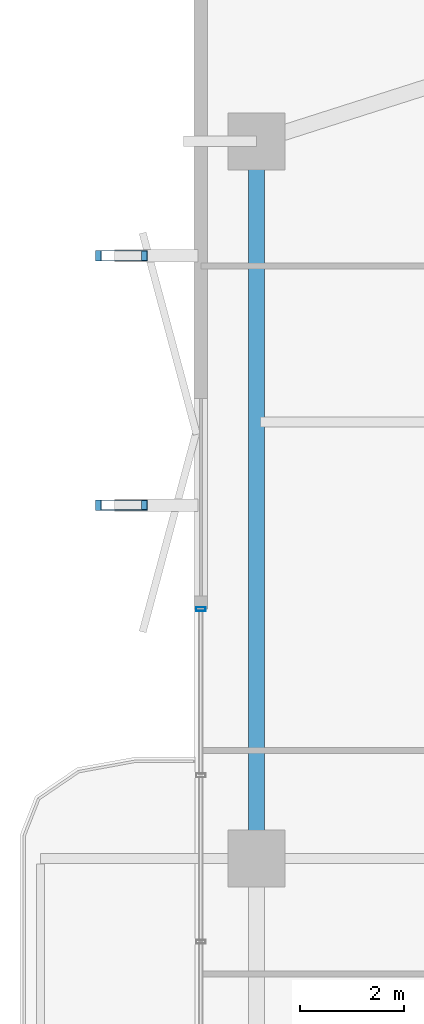
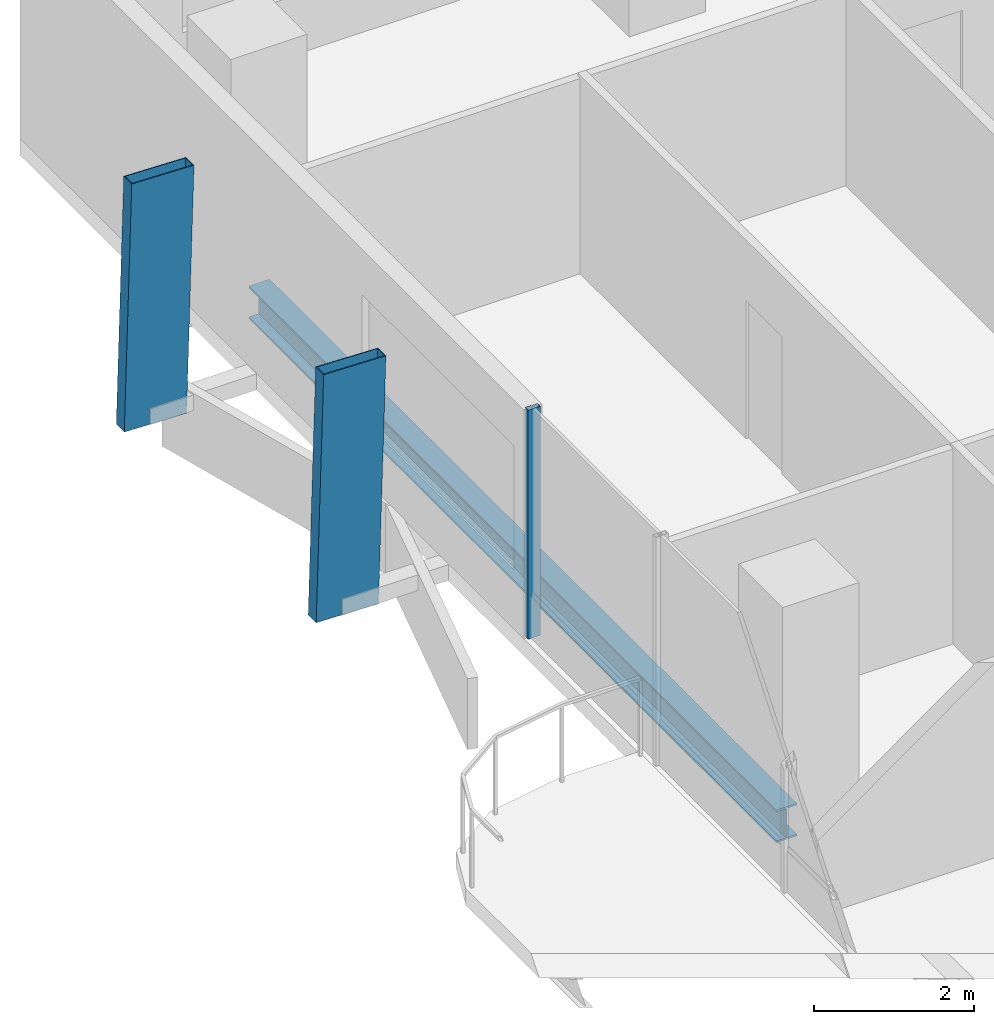
# One storey, part 11 of 25: 3 members, 1 beam, 1 element without a shape of its own.
"""IFC4 building model written with IfcOpenShell, lengths in metres."""

import ifcopenshell
import ifcopenshell.guid

model = None  # the IFC model being written
_history = None  # IfcOwnerHistory: only IFC2X3 demands one
_inside = {}  # id of a spatial element -> (the spatial element, [elements in it])
_under = {}  # id of a project, library or spatial element -> (it, [spatial elements below it])
_declared = {}  # id of a project -> (the project, [libraries it declares])
_typed = {}  # id of a type object -> (the type object, [elements of that type])
_made_of = {}  # id of a material, layer set ... -> (it, [elements and type objects made of it])


def new_model(schema):
    """Start an empty IFC model of exactly this schema.

    Asked for "IFC4X3", IfcOpenShell would pick the latest addendum, in which some entities
    have other attributes; the version numbers below select the first issue.
    IFC2X3 requires an IfcOwnerHistory on every rooted entity: one is made here for all.
    """
    global model, _history
    if schema == "IFC4X3":
        model = ifcopenshell.file(schema_version=(4, 3, 0, 0))
    else:
        model = ifcopenshell.file(schema=schema)
    _inside.clear()
    _under.clear()
    _declared.clear()
    _typed.clear()
    _made_of.clear()
    _history = None
    if model.schema == "IFC2X3":
        org = make("IfcOrganization", Name="unknown")
        user = make(
            "IfcPersonAndOrganization",
            ThePerson=make("IfcPerson", FamilyName="unknown"),
            TheOrganization=org,
        )
        app = make(
            "IfcApplication",
            ApplicationDeveloper=org,
            Version="unknown",
            ApplicationFullName="unknown",
            ApplicationIdentifier="unknown",
        )
        _history = make(
            "IfcOwnerHistory",
            OwningUser=user,
            OwningApplication=app,
            ChangeAction="ADDED",
            CreationDate=0,
        )
    return model


def make(cls, **values):
    """One entity of the class cls with the attributes given. An attribute that is None is left unset."""
    return model.create_entity(
        cls, **{name: value for name, value in values.items() if value is not None}
    )


def rooted(cls, **values):
    """An entity with a GlobalId (a new one), such as an element, a storey or a relation."""
    return make(cls, GlobalId=ifcopenshell.guid.new(), OwnerHistory=_history, **values)


def si_unit(unit_type, name, prefix=None):
    """IfcSIUnit, for example si_unit("LENGTHUNIT", "METRE", prefix="MILLI")."""
    return make("IfcSIUnit", UnitType=unit_type, Prefix=prefix, Name=name)


def assignment(units):
    """IfcUnitAssignment: the units of a project."""
    return None if units is None else make("IfcUnitAssignment", Units=units)


def point(xyz):
    """IfcCartesianPoint."""
    return None if xyz is None else make("IfcCartesianPoint", Coordinates=xyz)


def direction(xyz):
    """IfcDirection."""
    return None if xyz is None else make("IfcDirection", DirectionRatios=xyz)


def frame(location, z_axis=None, x_axis=None):
    """IfcAxis2Placement3D, a coordinate frame: its origin and axes. An axis left out is left unset."""
    return make(
        "IfcAxis2Placement3D",
        Location=point(location),
        Axis=direction(z_axis),
        RefDirection=direction(x_axis),
    )


def frame_2d(location, x_axis=None):
    """IfcAxis2Placement2D, a coordinate frame in the plane: its origin and x axis."""
    return make(
        "IfcAxis2Placement2D", Location=point(location), RefDirection=direction(x_axis)
    )


def origin():
    """The frame at (0, 0, 0) with its axes left unset."""
    return frame((0.0, 0.0, 0.0))


def origin_2d():
    """The frame at (0, 0) in the plane with its x axis left unset."""
    return frame_2d((0.0, 0.0))


def place(relative_to, where):
    """IfcLocalPlacement: puts the frame where relative to a parent placement (None: the world)."""
    return make(
        "IfcLocalPlacement", PlacementRelTo=relative_to, RelativePlacement=where
    )


def context(
    kind, dimensions, precision=None, world=None, true_north=None, identifier=None
):
    """IfcGeometricRepresentationContext, for example the 3D "Model" context."""
    return make(
        "IfcGeometricRepresentationContext",
        ContextIdentifier=identifier,
        ContextType=kind,
        CoordinateSpaceDimension=dimensions,
        Precision=precision,
        WorldCoordinateSystem=world,
        TrueNorth=true_north,
    )


def subcontext(parent, identifier, kind, view, scale=None):
    """IfcGeometricRepresentationSubContext, for example "Body" below "Model"."""
    return make(
        "IfcGeometricRepresentationSubContext",
        ContextIdentifier=identifier,
        ContextType=kind,
        ParentContext=parent,
        TargetScale=scale,
        TargetView=view,
    )


def project(units=None, contexts=None):
    """IfcProject with its units and contexts."""
    return rooted(
        "IfcProject",
        Name="project",
        RepresentationContexts=contexts,
        UnitsInContext=assignment(units),
    )


def spatial(cls, under=None, at=None, **own):
    """A site, building, storey or space (cls), placed at a placement, below another one or the project."""
    s = rooted(cls, ObjectPlacement=at, **own)
    if under is not None:
        _under.setdefault(under.id(), (under, []))[1].append(s)
    return s


def profile(cls, at=None, kind="AREA", **sizes):
    """A parametric profile (cls). Its sizes go by their IFC names, for example OverallWidth=200.0."""
    return make(cls, ProfileType=kind, Position=at, **sizes)


def hollow_rectangle(**sizes):
    """IfcRectangleHollowProfileDef."""
    return profile("IfcRectangleHollowProfileDef", **sizes)


def i_section(**sizes):
    """IfcIShapeProfileDef."""
    return profile("IfcIShapeProfileDef", **sizes)


def extrude(swept, where, along, depth):
    """IfcExtrudedAreaSolid: the profile swept, set in the frame where, extruded along a direction by depth."""
    return make(
        "IfcExtrudedAreaSolid",
        SweptArea=swept,
        Position=where,
        ExtrudedDirection=direction(along),
        Depth=depth,
    )


def shape(context_of_items, identifier, shape_type, items):
    """IfcShapeRepresentation: the items that make up one representation, for example the "Body"."""
    return make(
        "IfcShapeRepresentation",
        ContextOfItems=context_of_items,
        RepresentationIdentifier=identifier,
        RepresentationType=shape_type,
        Items=items,
    )


def material(Name=None, Category=None):
    """IfcMaterial."""
    return make("IfcMaterial", Name=Name, Category=Category)


def layer(
    of_material, thickness, ventilated=None, Name=None, Category=None, Priority=None
):
    """IfcMaterialLayer: one layer of a wall or slab, of a material (None: an air gap)."""
    return make(
        "IfcMaterialLayer",
        Material=of_material,
        LayerThickness=thickness,
        IsVentilated=ventilated,
        Name=Name,
        Category=Category,
        Priority=Priority,
    )


def layer_set(layers, Name=None):
    """IfcMaterialLayerSet."""
    return make("IfcMaterialLayerSet", MaterialLayers=layers, LayerSetName=Name)


def material_profile(
    of_material, cross_section, Name=None, Category=None, Priority=None
):
    """IfcMaterialProfile: a cross section and its material."""
    return make(
        "IfcMaterialProfile",
        Name=Name,
        Material=of_material,
        Profile=cross_section,
        Priority=Priority,
        Category=Category,
    )


def profile_set(profiles, Name=None, composite=None):
    """IfcMaterialProfileSet."""
    return make(
        "IfcMaterialProfileSet",
        Name=Name,
        MaterialProfiles=profiles,
        CompositeProfile=composite,
    )


def made_of(thing, what):
    """Note that an element or type object is made of a material, layer set ...; save() writes the relation."""
    if what is not None:
        _made_of.setdefault(what.id(), (what, []))[1].append(thing)
    return thing


def type_object(cls, material=None, **own):
    """A type object (cls), such as IfcWallType, which elements share."""
    return made_of(rooted(cls, **own), material)


def element(
    cls,
    number,
    at=None,
    inside=None,
    cuts=None,
    type_object=None,
    material=None,
    context=None,
    identifier="Body",
    shape_type=None,
    held_by="IfcProductDefinitionShape",
    body=None,
    shapes=None,
    **own,
):
    """One element of the class cls, such as IfcWall. Its Tag is "e" and its number.

    at: its placement. inside: the storey or other place that contains it. cuts: it is an
    opening in that element (IfcRelVoidsElement). A single representation is given by context,
    identifier, shape_type and body (its items); several are given by shapes. held_by: the class
    of the entity that holds the representations. save() writes the other relations.
    """
    e = rooted(cls, Tag="e%d" % number, ObjectPlacement=at, **own)
    if body is not None:
        shapes = [shape(context, identifier, shape_type, body)]
    if shapes is not None:
        e.Representation = make(held_by, Representations=shapes)
    if inside is not None:
        _inside.setdefault(inside.id(), (inside, []))[1].append(e)
    if cuts is not None:
        rooted(
            "IfcRelVoidsElement", RelatingBuildingElement=cuts, RelatedOpeningElement=e
        )
    if type_object is not None:
        _typed.setdefault(type_object.id(), (type_object, []))[1].append(e)
    return made_of(e, material)


def aggregate(whole, parts):
    """IfcRelAggregates: a whole, such as a stair, and the parts it consists of."""
    return rooted("IfcRelAggregates", RelatingObject=whole, RelatedObjects=parts)


def save(model, path):
    """Write the relations noted so far, then the file.

    IfcRelAggregates (storeys below a building ...), IfcRelContainedInSpatialStructure (elements
    in a storey), IfcRelDefinesByType, IfcRelAssociatesMaterial and IfcRelDeclares: one each for
    every whole, place, type object, material and project.
    """
    for whole, parts in _under.values():
        aggregate(whole, parts)
    for where, things in _inside.values():
        rooted(
            "IfcRelContainedInSpatialStructure",
            RelatedElements=things,
            RelatingStructure=where,
        )
    for kind, things in _typed.values():
        rooted("IfcRelDefinesByType", RelatedObjects=things, RelatingType=kind)
    for what, things in _made_of.values():
        rooted("IfcRelAssociatesMaterial", RelatedObjects=things, RelatingMaterial=what)
    for by, libraries in _declared.values():
        rooted("IfcRelDeclares", RelatingContext=by, RelatedDefinitions=libraries)
    model.write(path)


model = new_model("IFC4")

# Units and contexts
model_context = context("Model", 3, precision=1e-05, world=origin(), true_north=direction((0.0, 1.0)))
body_context = subcontext(model_context, "Body", "Model", "MODEL_VIEW")
ifc_project = project(units=[si_unit("LENGTHUNIT", "METRE"), si_unit("AREAUNIT", "SQUARE_METRE"), si_unit("VOLUMEUNIT", "CUBIC_METRE"), si_unit("PLANEANGLEUNIT", "RADIAN"), si_unit("MASSUNIT", "GRAM", prefix="KILO")], contexts=[model_context])

# Site, building, storey
site_placement = place(None, origin())
site = spatial("IfcSite", under=ifc_project, at=site_placement, CompositionType="ELEMENT")
building_placement = place(site_placement, origin())
building = spatial("IfcBuilding", under=site, at=building_placement, Name="Belovzor Exchange Tower", CompositionType="ELEMENT")
storey_placement = place(building_placement, frame((0.0, 0.0, 153.300048828125)))
storey = spatial("IfcBuildingStorey", under=building, at=storey_placement, Name="L37", CompositionType="ELEMENT", Elevation=153.300048828125)

# Members
ifc_material_1 = material(Name="Extruded Architectural Terracotta on Steel S355 Carrier", Category="masonry")
ifc_material_profile_1 = material_profile(ifc_material_1, hollow_rectangle(XDim=0.199951171875, YDim=0.89990234375, WallThickness=0.011962890625, at=origin_2d()))
ifc_profile_set_1 = profile_set([ifc_material_profile_1], Name="Extruded Architectural Terracotta on Steel S355 Carrier")
member_type_1 = type_object("IfcMemberType", Name="Sweeping Terracotta Baguette Fin Assembly 1250", PredefinedType="USERDEFINED", material=ifc_profile_set_1)
for number, where, z_axis, x_axis, name in (
    (1, (3.049072265625, 35.60009765625, -0.255126953125), (0.028764134908, 0.0, 0.999586226667), (0.0, 1.0, 0.0), "FIN-TC125 Terracotta Facade Fin L37 W3"),
    (2, (3.049072265625, 40.39990234375, -0.255126953125), (0.028764134908, 0.0, 0.999586226667), (0.0, 1.0, 0.0), "FIN-TC125 Terracotta Facade Fin L37 W4"),
):
    element("IfcMember", number, at=place(storey_placement, frame(where, z_axis=z_axis, x_axis=x_axis)), inside=storey, type_object=member_type_1, Name=name, ObjectType="FIN", PredefinedType="USERDEFINED", context=body_context, shape_type="SweptSolid", body=[
        extrude(hollow_rectangle(XDim=0.199951171875, YDim=0.89990234375, WallThickness=0.011962890625, at=origin_2d()), origin(), (0.0, 0.0, 1.0), 3.75146484375),
    ])

# Curtain wall, member
ifc_material_2 = material(Name="Anodised Aluminium Framing", Category="aluminium")
ifc_layer = layer(ifc_material_2, 0.179931640625)
ifc_layer_set = layer_set([ifc_layer], Name="Anodised Aluminium Framing")
curtain_wall_type = type_object("IfcCurtainWallType", Name="Recessed Loggia Low-Iron Triple-Glazed Curtain Wall", PredefinedType="NOTDEFINED", material=ifc_layer_set)
curtain_wall_placement = place(storey_placement, origin())
curtain_wall = element("IfcCurtainWall", 3, at=curtain_wall_placement, inside=storey, type_object=curtain_wall_type, Name="CW3 Recessed Loggia Low-Iron Triple-Glazed Curtain Wall L37", PredefinedType="NOTDEFINED")
ifc_material_3 = material(Name="Steel S355", Category="steel")
ifc_material_profile_2 = material_profile(ifc_material_3, hollow_rectangle(XDim=0.074951171875, YDim=0.179931640625, WallThickness=0.0048828125, at=origin_2d()))
ifc_profile_set_2 = profile_set([ifc_material_profile_2], Name="Steel S355")
member_type_2 = type_object("IfcMemberType", Name="Thermally Broken Curtain Wall Mullion 180x75", PredefinedType="MULLION", material=ifc_profile_set_2)
member_placement = place(storey_placement, frame((4.6298828125, 33.60009765625, 0.0), z_axis=(0.0, 0.0, 1.0), x_axis=(0.0, 1.0, 0.0)))
member = element("IfcMember", 4, at=member_placement, type_object=member_type_2, Name="CW-M180 Curtain Wall Mullion 4", PredefinedType="MULLION", context=body_context, shape_type="SweptSolid", body=[
    extrude(hollow_rectangle(XDim=0.074951171875, YDim=0.179931640625, WallThickness=0.0048828125, at=origin_2d()), origin(), (0.0, 0.0, 1.0), 3.494873046875),
])
aggregate(curtain_wall, [member])

# Beam
ifc_material_4 = material(Name="Steel S355", Category="steel")
ifc_material_profile_3 = material_profile(ifc_material_4, i_section(OverallWidth=0.300048828125, OverallDepth=0.5, WebThickness=0.014404296875, FlangeThickness=0.028076171875, at=origin_2d()))
ifc_profile_set_3 = profile_set([ifc_material_profile_3], Name="Steel S355")
beam_type = type_object("IfcBeamType", Name="Zone 3 Waist Primary Girder HEB 500", PredefinedType="BEAM", material=ifc_profile_set_3)
beam_placement = place(storey_placement, frame((5.699951171875, 42.297119140625, -0.505126953125), z_axis=(0.0, -1.0, 0.0), x_axis=(1.0, 0.0, 0.0)))
element("IfcBeam", 5, at=beam_placement, inside=storey, type_object=beam_type, Name="FG-Z3 Zone 3 Waist Primary Girder HEB 500", PredefinedType="BEAM", context=body_context, shape_type="SweptSolid", body=[
    extrude(i_section(OverallWidth=0.300048828125, OverallDepth=0.5, WebThickness=0.014404296875, FlangeThickness=0.028076171875, at=origin_2d()), origin(), (0.0, 0.0, 1.0), 13.195068359375),
])

save(model, "model.ifc")
